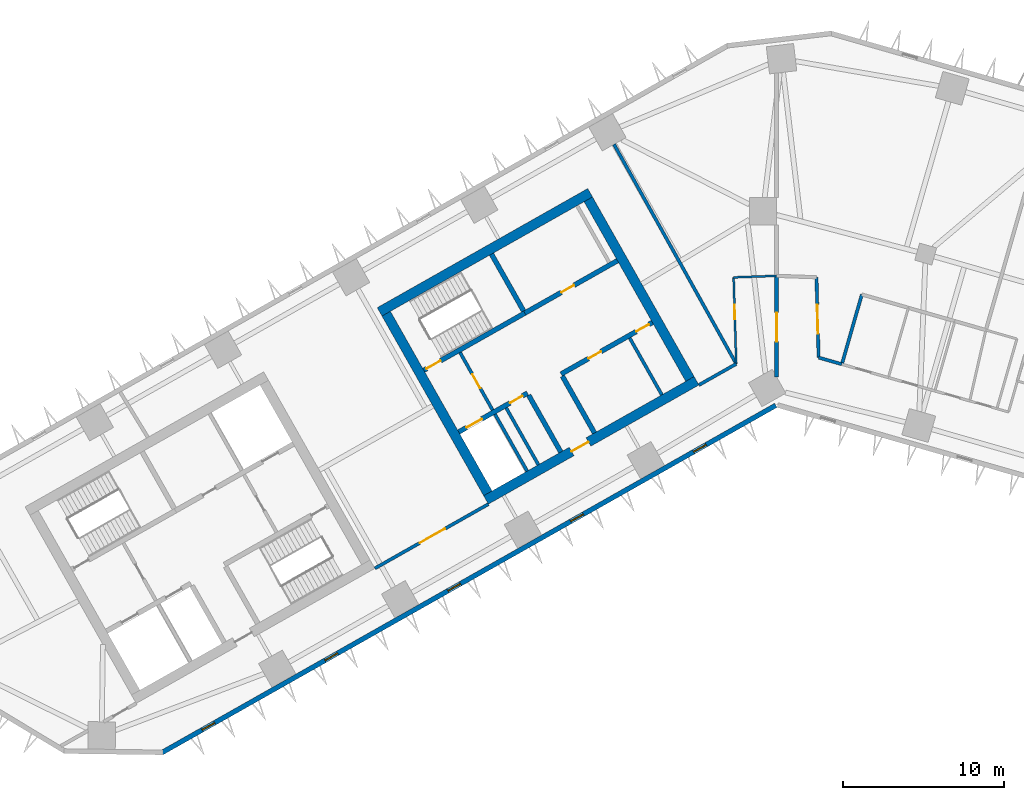
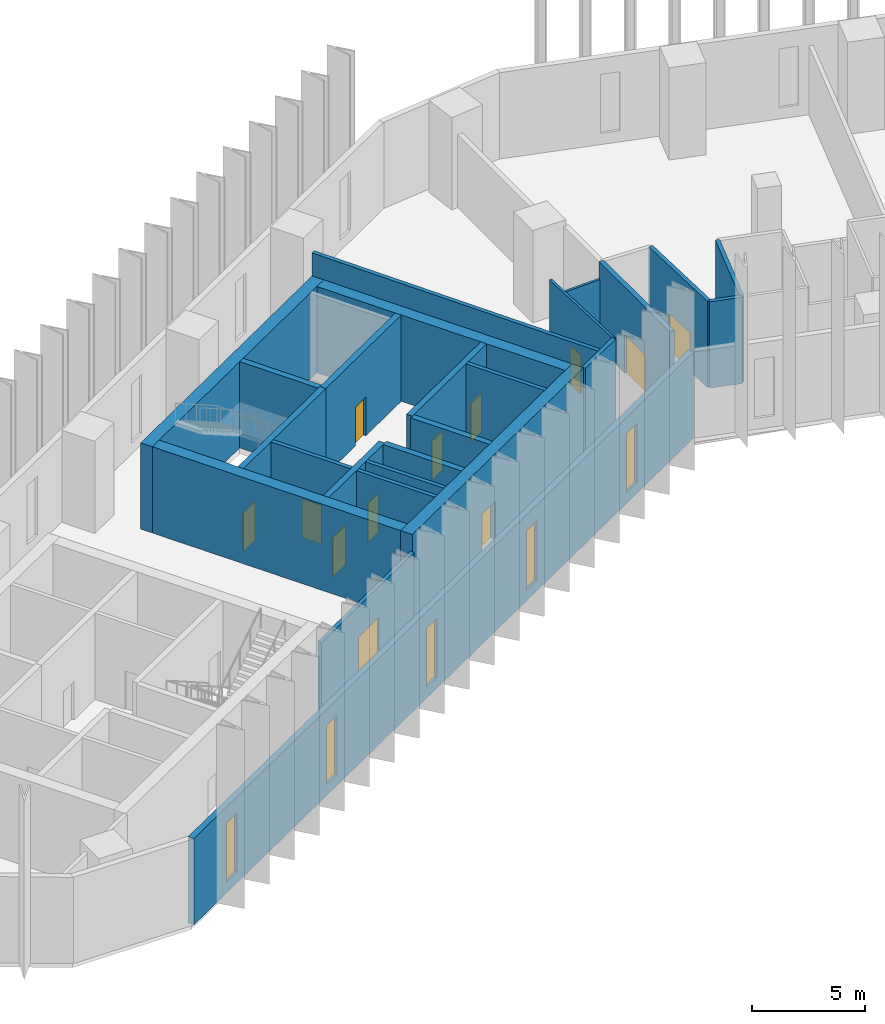
# One storey, part 4 of 11: 25 walls, 12 doors, 5 windows, 17 openings.
"""IFC4 building model written with IfcOpenShell, lengths in metres."""

from ifc_helpers import new_model, si_unit, direction, frame, frame_2d, origin, place, context, subcontext, project, spatial, rectangle, extrude, material, layer, layer_set, type_object, element, fill, save


model = new_model("IFC4")

# Units and contexts
model_context = context("Model", 3, precision=1e-05, world=origin(), true_north=direction((0.0, 1.0)))
body_context = subcontext(model_context, "Body", "Model", "MODEL_VIEW")
ifc_project = project(units=[si_unit("LENGTHUNIT", "METRE"), si_unit("AREAUNIT", "SQUARE_METRE"), si_unit("VOLUMEUNIT", "CUBIC_METRE"), si_unit("PLANEANGLEUNIT", "RADIAN"), si_unit("MASSUNIT", "GRAM", prefix="KILO")], contexts=[model_context])

# Site, building, storey
site_placement = place(None, origin())
site = spatial("IfcSite", under=ifc_project, at=site_placement, CompositionType="ELEMENT")
building_placement = place(site_placement, origin())
building = spatial("IfcBuilding", under=site, at=building_placement, Name="Binnacle Exchange Tower", CompositionType="ELEMENT")
storey_placement = place(building_placement, frame((0.0, 0.0, 66.5)))
storey = spatial("IfcBuildingStorey", under=building, at=storey_placement, Name="L13", CompositionType="ELEMENT", Elevation=66.5)

# Wall
ifc_material_1 = material(Name="Gypsum partition fire rated")
ifc_layer_1 = layer(ifc_material_1, 0.199951171875)
ifc_layer_set_1 = layer_set([ifc_layer_1], Name="Core partition 200")
wall_type_1 = type_object("IfcWallType", Name="Core partition 200", PredefinedType="PARTITIONING", material=ifc_layer_set_1)
wall_1_placement = place(storey_placement, frame((-9.11279296875, 52.14404296875, 0.0), z_axis=(0.0, 0.0, 1.0), x_axis=(0.492394910396, -0.870371904542, 0.0)))
element("IfcWall", 1, at=wall_1_placement, inside=storey, type_object=wall_type_1, Name="Core wall CRWC22", PredefinedType="PARTITIONING", context=body_context, shape_type="SweptSolid", body=[
    extrude(rectangle(XDim=4.0498046875, YDim=0.199951171875, at=frame_2d((2.02490234375, 0.0))), origin(), (0.0, 0.0, 1.0), 4.679931640625),
])

# Wall, openings, doors
ifc_material_2 = material(Name="Concrete C70/85", Category="concrete")
ifc_layer_2 = layer(ifc_material_2, 0.300048828125)
ifc_layer_set_2 = layer_set([ifc_layer_2], Name="Core wall - front 300")
wall_type_2 = type_object("IfcWallType", Name="Core wall - front 300", PredefinedType="SOLIDWALL", material=ifc_layer_set_2)
wall_2_placement = place(storey_placement, frame((-19.718017578125, 46.31640625, 0.0), z_axis=(0.0, 0.0, 1.0), x_axis=(0.870353963862, 0.492426621528, 0.0)))
wall_2 = element("IfcWall", 2, at=wall_2_placement, inside=storey, type_object=wall_type_2, Name="Core wall CRWC2", PredefinedType="SOLIDWALL", context=body_context, shape_type="SweptSolid", body=[
    extrude(rectangle(XDim=4.89990234375, YDim=0.300048828125, at=frame_2d((2.449951171875, 0.0))), origin(), (0.0, 0.0, 1.0), 4.679931640625),
])
opening_1_placement = place(wall_2_placement, frame((0.550048828125, 0.0, 0.0)))
opening_1 = element("IfcOpeningElement", 3, at=opening_1_placement, cuts=wall_2, Name="Opening LD14", PredefinedType="OPENING", context=body_context, shape_type="SweptSolid", body=[
    extrude(rectangle(XDim=1.10009765625, YDim=2.10009765625, at=frame_2d((0.550048828125, 1.050048828125))), frame((0.0, 0.159912109375, 0.0), z_axis=(0.0, -1.0, 0.0), x_axis=(1.0, 0.0, 0.0)), (0.0, 0.0, 1.0), 0.320068359375),
])
opening_2_placement = place(wall_2_placement, frame((3.64990234375, 0.0, 0.0)))
opening_2 = element("IfcOpeningElement", 4, at=opening_2_placement, cuts=wall_2, Name="Opening DC14", PredefinedType="OPENING", context=body_context, shape_type="SweptSolid", body=[
    extrude(rectangle(XDim=0.89990234375, YDim=2.10009765625, at=frame_2d((0.449951171875, 1.050048828125))), frame((0.0, 0.159912109375, 0.0), z_axis=(0.0, -1.0, 0.0), x_axis=(1.0, 0.0, 0.0)), (0.0, 0.0, 1.0), 0.320068359375),
])
ifc_material_3 = material(Name="Steel door leaf", Category="steel")
door_type_1 = type_object("IfcDoorType", Name="Fire door - lift landing 1100", OperationType="NOTDEFINED", PredefinedType="DOOR", material=ifc_material_3)
door_1_placement = place(opening_1_placement, origin())
door_1 = element("IfcDoor", 5, at=door_1_placement, inside=storey, type_object=door_type_1, Name="Landing door LD14 L13", OperationType="DOUBLE_DOOR_SLIDING", OverallHeight=2.10009765625, OverallWidth=1.10009765625, PredefinedType="DOOR", context=body_context, shape_type="SweptSolid", body=[
    extrude(rectangle(XDim=1.10009765625, YDim=2.10009765625, at=frame_2d((0.550048828125, 1.050048828125))), frame((0.0, 0.02490234375, 0.0), z_axis=(0.0, -1.0, 0.0), x_axis=(1.0, 0.0, 0.0)), (0.0, 0.0, 1.0), 0.050048828125),
])
fill(opening_1, door_1)
door_type_2 = type_object("IfcDoorType", Name="Fire door 900", OperationType="NOTDEFINED", PredefinedType="DOOR", material=ifc_material_3)
door_2_placement = place(opening_2_placement, frame((0.89990234375, 0.0, 0.0), z_axis=(0.0, 0.0, 1.0), x_axis=(-1.0, 0.0, 0.0)))
door_2 = element("IfcDoor", 6, at=door_2_placement, inside=storey, type_object=door_type_2, Name="Core room door COMMS RISER ROOM", OperationType="SINGLE_SWING_LEFT", OverallHeight=2.10009765625, OverallWidth=0.89990234375, PredefinedType="DOOR", context=body_context, shape_type="SweptSolid", body=[
    extrude(rectangle(XDim=0.89990234375, YDim=2.10009765625, at=frame_2d((0.449951171875, 1.050048828125))), frame((0.0, 0.02490234375, 0.0), z_axis=(0.0, -1.0, 0.0), x_axis=(1.0, 0.0, 0.0)), (0.0, 0.0, 1.0), 0.050048828125),
])
fill(opening_2, door_2)

wall_3_placement = place(storey_placement, frame((-13.364501953125, 49.910888671875, 0.0), z_axis=(0.0, 0.0, 1.0), x_axis=(0.870340995471, 0.49244954219, 0.0)))
wall_3 = element("IfcWall", 7, at=wall_3_placement, inside=storey, type_object=wall_type_2, Name="Core wall CRWC3", PredefinedType="SOLIDWALL", context=body_context, shape_type="SweptSolid", body=[
    extrude(rectangle(XDim=6.5, YDim=0.300048828125, at=frame_2d((3.25, 0.0))), origin(), (0.0, 0.0, 1.0), 4.679931640625),
])
opening_3_placement = place(wall_3_placement, frame((1.949951171875, 0.0, 0.0)))
opening_3 = element("IfcOpeningElement", 8, at=opening_3_placement, cuts=wall_3, Name="Opening DC18", PredefinedType="OPENING", context=body_context, shape_type="SweptSolid", body=[
    extrude(rectangle(XDim=0.89990234375, YDim=2.10009765625, at=frame_2d((0.449951171875, 1.050048828125))), frame((0.0, 0.159912109375, 0.0), z_axis=(0.0, -1.0, 0.0), x_axis=(1.0, 0.0, 0.0)), (0.0, 0.0, 1.0), 0.320068359375),
])
opening_4_placement = place(wall_3_placement, frame((5.35009765625, 0.0, 0.0)))
opening_4 = element("IfcOpeningElement", 9, at=opening_4_placement, cuts=wall_3, Name="Opening DC19", PredefinedType="OPENING", context=body_context, shape_type="SweptSolid", body=[
    extrude(rectangle(XDim=0.89990234375, YDim=2.10009765625, at=frame_2d((0.449951171875, 1.050048828125))), frame((0.0, 0.159912109375, 0.0), z_axis=(0.0, -1.0, 0.0), x_axis=(1.0, 0.0, 0.0)), (0.0, 0.0, 1.0), 0.320068359375),
])
door_3_placement = place(opening_3_placement, frame((0.89990234375, 0.0, 0.0), z_axis=(0.0, 0.0, 1.0), x_axis=(-1.0, 0.0, 0.0)))
door_3 = element("IfcDoor", 10, at=door_3_placement, inside=storey, type_object=door_type_2, Name="Core room door TELECOM RISER ROOM", OperationType="SINGLE_SWING_RIGHT", OverallHeight=2.10009765625, OverallWidth=0.89990234375, PredefinedType="DOOR", context=body_context, shape_type="SweptSolid", body=[
    extrude(rectangle(XDim=0.89990234375, YDim=2.10009765625, at=frame_2d((0.449951171875, 1.050048828125))), frame((0.0, 0.02490234375, 0.0), z_axis=(0.0, -1.0, 0.0), x_axis=(1.0, 0.0, 0.0)), (0.0, 0.0, 1.0), 0.050048828125),
])
fill(opening_3, door_3)
door_4_placement = place(opening_4_placement, frame((0.89990234375, 0.0, 0.0), z_axis=(0.0, 0.0, 1.0), x_axis=(-1.0, 0.0, 0.0)))
door_4 = element("IfcDoor", 11, at=door_4_placement, inside=storey, type_object=door_type_2, Name="Core room door IT STORE", OperationType="SINGLE_SWING_LEFT", OverallHeight=2.10009765625, OverallWidth=0.89990234375, PredefinedType="DOOR", context=body_context, shape_type="SweptSolid", body=[
    extrude(rectangle(XDim=0.89990234375, YDim=2.10009765625, at=frame_2d((0.449951171875, 1.050048828125))), frame((0.0, 0.02490234375, 0.0), z_axis=(0.0, -1.0, 0.0), x_axis=(1.0, 0.0, 0.0)), (0.0, 0.0, 1.0), 0.050048828125),
])
fill(opening_4, door_4)

# Wall, opening, door
wall_4_placement = place(storey_placement, frame((-15.6181640625, 53.69140625, 0.0), z_axis=(0.0, 0.0, 1.0), x_axis=(0.870356769198, 0.492421663121, 0.0)))
wall_4 = element("IfcWall", 12, at=wall_4_placement, inside=storey, type_object=wall_type_2, Name="Core wall CRWC5", PredefinedType="SOLIDWALL", context=body_context, shape_type="SweptSolid", body=[
    extrude(rectangle(XDim=6.60009765625, YDim=0.300048828125, at=frame_2d((3.300048828125, 0.0))), origin(), (0.0, 0.0, 1.0), 4.679931640625),
])
opening_5_placement = place(wall_4_placement, frame((2.60009765625, 0.0, 0.0)))
opening_5 = element("IfcOpeningElement", 13, at=opening_5_placement, cuts=wall_4, Name="Opening DC10", PredefinedType="OPENING", context=body_context, shape_type="SweptSolid", body=[
    extrude(rectangle(XDim=0.89990234375, YDim=2.10009765625, at=frame_2d((0.449951171875, 1.050048828125))), frame((0.0, 0.159912109375, 0.0), z_axis=(0.0, -1.0, 0.0), x_axis=(1.0, 0.0, 0.0)), (0.0, 0.0, 1.0), 0.320068359375),
])
door_5_placement = place(opening_5_placement, origin())
door_5 = element("IfcDoor", 14, at=door_5_placement, inside=storey, type_object=door_type_2, Name="Core room door WORKSHOP STORE", OperationType="SINGLE_SWING_LEFT", OverallHeight=2.10009765625, OverallWidth=0.89990234375, PredefinedType="DOOR", context=body_context, shape_type="SweptSolid", body=[
    extrude(rectangle(XDim=0.89990234375, YDim=2.10009765625, at=frame_2d((0.449951171875, 1.050048828125))), frame((0.0, 0.02490234375, 0.0), z_axis=(0.0, -1.0, 0.0), x_axis=(1.0, 0.0, 0.0)), (0.0, 0.0, 1.0), 0.050048828125),
])
fill(opening_5, door_5)

# Walls
for number, where, z_axis, x_axis, name in (
    (15, (-15.37939453125, 48.5986328125, 0.0), (0.0, 0.0, 1.0), (0.492394910396, -0.870371904542, 0.0), "Core wall CRWC13"),
    (16, (-13.29052734375, 49.780517578125, 0.0), (0.0, 0.0, 1.0), (0.492394910396, -0.870371904542, 0.0), "Core wall CRWC15"),
):
    element("IfcWall", number, at=place(storey_placement, frame(where, z_axis=z_axis, x_axis=x_axis)), inside=storey, type_object=wall_type_2, Name=name, PredefinedType="SOLIDWALL", context=body_context, shape_type="SweptSolid", body=[
        extrude(rectangle(XDim=4.0498046875, YDim=0.300048828125, at=frame_2d((2.02490234375, 0.0))), origin(), (0.0, 0.0, 1.0), 4.679931640625),
    ])

# Wall, opening, door
ifc_layer_3 = layer(ifc_material_2, 0.60009765625)
ifc_layer_set_3 = layer_set([ifc_layer_3], Name="Core wall - outer 600")
wall_type_3 = type_object("IfcWallType", Name="Core wall - outer 600", PredefinedType="SOLIDWALL", material=ifc_layer_set_3)
wall_5_placement = place(storey_placement, frame((-18.0244140625, 42.104248046875, 0.0), z_axis=(0.0, 0.0, 1.0), x_axis=(0.870360574057, 0.492414937962, 0.0)))
wall_5 = element("IfcWall", 17, at=wall_5_placement, inside=storey, type_object=wall_type_3, Name="Core wall CRWC1", PredefinedType="SOLIDWALL", context=body_context, shape_type="SweptSolid", body=[
    extrude(rectangle(XDim=15.0, YDim=0.60009765625, at=frame_2d((7.5, 0.0))), origin(), (0.0, 0.0, 1.0), 4.679931640625),
])
opening_6_placement = place(wall_5_placement, frame((6.10009765625, 0.0, 0.0)))
opening_6 = element("IfcOpeningElement", 18, at=opening_6_placement, cuts=wall_5, Name="Opening DC7", PredefinedType="OPENING", context=body_context, shape_type="SweptSolid", body=[
    extrude(rectangle(XDim=1.199951171875, YDim=2.10009765625, at=frame_2d((0.60009765625, 1.050048828125))), frame((0.0, 0.31005859375, 0.0), z_axis=(0.0, -1.0, 0.0), x_axis=(1.0, 0.0, 0.0)), (0.0, 0.0, 1.0), 0.6201171875),
])
door_type_3 = type_object("IfcDoorType", Name="Fire door 1200", OperationType="NOTDEFINED", PredefinedType="DOOR", material=ifc_material_3)
door_6_placement = place(opening_6_placement, frame((1.199951171875, 0.0, 0.0), z_axis=(0.0, 0.0, 1.0), x_axis=(-1.0, 0.0, 0.0)))
door_6 = element("IfcDoor", 19, at=door_6_placement, inside=storey, type_object=door_type_3, Name="Lift lobby entrance door core C", OperationType="SINGLE_SWING_RIGHT", OverallHeight=2.10009765625, OverallWidth=1.199951171875, PredefinedType="DOOR", context=body_context, shape_type="SweptSolid", body=[
    extrude(rectangle(XDim=1.199951171875, YDim=2.10009765625, at=frame_2d((0.60009765625, 1.050048828125))), frame((0.0, 0.02490234375, 0.0), z_axis=(0.0, -1.0, 0.0), x_axis=(1.0, 0.0, 0.0)), (0.0, 0.0, 1.0), 0.050048828125),
])
fill(opening_6, door_6)

# Walls
wall_6_placement = place(storey_placement, frame((-24.622802734375, 53.76708984375, 0.0), z_axis=(0.0, 0.0, 1.0), x_axis=(0.870356627484, 0.492421913601, 0.0)))
element("IfcWall", 20, at=wall_6_placement, inside=storey, type_object=wall_type_3, Name="Core wall CRWC6", PredefinedType="SOLIDWALL", context=body_context, shape_type="SweptSolid", body=[
    extrude(rectangle(XDim=14.999755859375, YDim=0.60009765625, at=frame_2d((7.5, 0.0))), origin(), (0.0, 0.0, 1.0), 4.679931640625),
])
wall_7_placement = place(storey_placement, frame((-24.214111328125, 53.653564453125, 0.0), z_axis=(0.0, 0.0, 1.0), x_axis=(0.492441221355, -0.870345703448, 0.0)))
element("IfcWall", 21, at=wall_7_placement, inside=storey, type_object=wall_type_3, Name="Core wall CRWC7", PredefinedType="SOLIDWALL", context=body_context, shape_type="SweptSolid", body=[
    extrude(rectangle(XDim=12.800048828125, YDim=0.60009765625, at=frame_2d((6.39990234375, 0.0))), origin(), (0.0, 0.0, 1.0), 4.679931640625),
])
wall_8_placement = place(storey_placement, frame((-11.680908203125, 60.744384765625, 0.0), z_axis=(0.0, 0.0, 1.0), x_axis=(0.492426772896, -0.870353878221, 0.0)))
element("IfcWall", 22, at=wall_8_placement, inside=storey, type_object=wall_type_3, Name="Core wall CRWC24", PredefinedType="SOLIDWALL", context=body_context, shape_type="SweptSolid", body=[
    extrude(rectangle(XDim=12.7998046875, YDim=0.60009765625, at=frame_2d((6.39990234375, 0.0))), origin(), (0.0, 0.0, 1.0), 4.679931640625),
])

# Wall, opening, door
ifc_layer_4 = layer(ifc_material_2, 0.300048828125)
ifc_layer_set_4 = layer_set([ifc_layer_4], Name="Core wall - stair 300")
wall_type_4 = type_object("IfcWallType", Name="Core wall - stair 300", PredefinedType="SOLIDWALL", material=ifc_layer_set_4)
wall_9_placement = place(storey_placement, frame((-21.884765625, 50.14599609375, 0.0), z_axis=(0.0, 0.0, 1.0), x_axis=(0.870359411463, 0.492416992881, 0.0)))
wall_9 = element("IfcWall", 23, at=wall_9_placement, inside=storey, type_object=wall_type_4, Name="Core wall CRWC4", PredefinedType="SOLIDWALL", context=body_context, shape_type="SweptSolid", body=[
    extrude(rectangle(XDim=7.199951171875, YDim=0.300048828125, at=frame_2d((3.60009765625, 0.0))), origin(), (0.0, 0.0, 1.0), 4.679931640625),
])
opening_7_placement = place(wall_9_placement, frame((0.199951171875, 0.0, 0.0)))
opening_7 = element("IfcOpeningElement", 24, at=opening_7_placement, cuts=wall_9, Name="Opening DC1", PredefinedType="OPENING", context=body_context, shape_type="SweptSolid", body=[
    extrude(rectangle(XDim=1.0, YDim=2.10009765625, at=frame_2d((0.5, 1.050048828125))), frame((0.0, 0.159912109375, 0.0), z_axis=(0.0, -1.0, 0.0), x_axis=(1.0, 0.0, 0.0)), (0.0, 0.0, 1.0), 0.320068359375),
])
door_type_4 = type_object("IfcDoorType", Name="Fire door 1000", OperationType="NOTDEFINED", PredefinedType="DOOR", material=ifc_material_3)
door_7_placement = place(opening_7_placement, origin())
door_7 = element("IfcDoor", 25, at=door_7_placement, inside=storey, type_object=door_type_4, Name="Stair door ST-C1", OperationType="SINGLE_SWING_LEFT", OverallHeight=2.10009765625, OverallWidth=1.0, PredefinedType="DOOR", context=body_context, shape_type="SweptSolid", body=[
    extrude(rectangle(XDim=1.0, YDim=2.10009765625, at=frame_2d((0.5, 1.050048828125))), frame((0.0, 0.02490234375, 0.0), z_axis=(0.0, -1.0, 0.0), x_axis=(1.0, 0.0, 0.0)), (0.0, 0.0, 1.0), 0.050048828125),
])
fill(opening_7, door_7)

# Wall
wall_10_placement = place(storey_placement, frame((-17.686279296875, 57.3466796875, 0.0), z_axis=(0.0, 0.0, 1.0), x_axis=(0.492420746998, -0.870357287513, 0.0)))
element("IfcWall", 26, at=wall_10_placement, inside=storey, type_object=wall_type_4, Name="Core wall CRWC14", PredefinedType="SOLIDWALL", context=body_context, shape_type="SweptSolid", body=[
    extrude(rectangle(XDim=4.049560546875, YDim=0.300048828125, at=frame_2d((2.02490234375, 0.0))), origin(), (0.0, 0.0, 1.0), 4.679931640625),
])

# Wall, openings, windows
ifc_material_4 = material(Name="Bronze aluminium cladding", Category="aluminium")
ifc_layer_5 = layer(ifc_material_4, 0.300048828125)
ifc_layer_set_5 = layer_set([ifc_layer_5], Name="External wall - spandrel 300")
wall_type_5 = type_object("IfcWallType", Name="External wall - spandrel 300", PredefinedType="STANDARD", material=ifc_layer_set_5)
wall_11_placement = place(storey_placement, frame((-0.0546875, 47.968994140625, 0.0), z_axis=(0.0, 0.0, 1.0), x_axis=(-0.870355730478, -0.492423499058, 0.0)))
wall_11 = element("IfcWall", 27, at=wall_11_placement, inside=storey, type_object=wall_type_5, Name="External wall EW-F07 L13", PredefinedType="STANDARD", context=body_context, shape_type="SweptSolid", body=[
    extrude(rectangle(XDim=43.750244140625, YDim=0.300048828125, at=frame_2d((21.875, 0.0))), origin(), (0.0, 0.0, 1.0), 4.679931640625),
])
opening_8_placement = place(wall_11_placement, frame((39.976806640625, 0.0, 0.60009765625)))
opening_8 = element("IfcOpeningElement", 28, at=opening_8_placement, cuts=wall_11, Name="Opening WS1", PredefinedType="OPENING", context=body_context, shape_type="SweptSolid", body=[
    extrude(rectangle(XDim=0.89990234375, YDim=3.199951171875, at=frame_2d((0.449951171875, 1.60009765625))), frame((0.0, 0.159912109375, 0.0), z_axis=(0.0, -1.0, 0.0), x_axis=(1.0, 0.0, 0.0)), (0.0, 0.0, 1.0), 0.320068359375),
])
opening_9_placement = place(wall_11_placement, frame((31.222412109375, 0.0, 0.60009765625)))
opening_9 = element("IfcOpeningElement", 29, at=opening_9_placement, cuts=wall_11, Name="Opening WS1", PredefinedType="OPENING", context=body_context, shape_type="SweptSolid", body=[
    extrude(rectangle(XDim=0.89990234375, YDim=3.199951171875, at=frame_2d((0.449951171875, 1.60009765625))), frame((0.0, 0.159912109375, 0.0), z_axis=(0.0, -1.0, 0.0), x_axis=(1.0, 0.0, 0.0)), (0.0, 0.0, 1.0), 0.320068359375),
])
opening_10_placement = place(wall_11_placement, frame((22.4677734375, 0.0, 0.60009765625)))
opening_10 = element("IfcOpeningElement", 30, at=opening_10_placement, cuts=wall_11, Name="Opening WS1", PredefinedType="OPENING", context=body_context, shape_type="SweptSolid", body=[
    extrude(rectangle(XDim=0.89990234375, YDim=3.199951171875, at=frame_2d((0.449951171875, 1.60009765625))), frame((0.0, 0.159912109375, 0.0), z_axis=(0.0, -1.0, 0.0), x_axis=(1.0, 0.0, 0.0)), (0.0, 0.0, 1.0), 0.320068359375),
])
opening_11_placement = place(wall_11_placement, frame((13.713134765625, 0.0, 0.60009765625)))
opening_11 = element("IfcOpeningElement", 31, at=opening_11_placement, cuts=wall_11, Name="Opening WS1", PredefinedType="OPENING", context=body_context, shape_type="SweptSolid", body=[
    extrude(rectangle(XDim=0.89990234375, YDim=3.199951171875, at=frame_2d((0.449951171875, 1.60009765625))), frame((0.0, 0.159912109375, 0.0), z_axis=(0.0, -1.0, 0.0), x_axis=(1.0, 0.0, 0.0)), (0.0, 0.0, 1.0), 0.320068359375),
])
opening_12_placement = place(wall_11_placement, frame((4.958740234375, 0.0, 0.60009765625)))
opening_12 = element("IfcOpeningElement", 32, at=opening_12_placement, cuts=wall_11, Name="Opening WS1", PredefinedType="OPENING", context=body_context, shape_type="SweptSolid", body=[
    extrude(rectangle(XDim=0.89990234375, YDim=3.199951171875, at=frame_2d((0.449951171875, 1.60009765625))), frame((0.0, 0.159912109375, 0.0), z_axis=(0.0, -1.0, 0.0), x_axis=(1.0, 0.0, 0.0)), (0.0, 0.0, 1.0), 0.320068359375),
])
ifc_material_5 = material(Name="Bronze anodised aluminium frame", Category="aluminium")
window_type = type_object("IfcWindowType", Name="WS1 WINDOW 900x3200", PartitioningType="SINGLE_PANEL", PredefinedType="WINDOW", material=ifc_material_5)
window_1_placement = place(opening_8_placement, origin())
window_1 = element("IfcWindow", 33, at=window_1_placement, inside=storey, type_object=window_type, Name="Window WS1 L13", OverallHeight=3.199951171875, OverallWidth=0.89990234375, PartitioningType="SINGLE_PANEL", PredefinedType="WINDOW", context=body_context, shape_type="SweptSolid", body=[
    extrude(rectangle(XDim=0.89990234375, YDim=3.199951171875, at=frame_2d((0.449951171875, 1.60009765625))), frame((0.0, 0.030029296875, 0.0), z_axis=(0.0, -1.0, 0.0), x_axis=(1.0, 0.0, 0.0)), (0.0, 0.0, 1.0), 0.06005859375),
])
fill(opening_8, window_1)
window_2_placement = place(opening_9_placement, origin())
window_2 = element("IfcWindow", 34, at=window_2_placement, inside=storey, type_object=window_type, Name="Window WS1 L13", OverallHeight=3.199951171875, OverallWidth=0.89990234375, PartitioningType="SINGLE_PANEL", PredefinedType="WINDOW", context=body_context, shape_type="SweptSolid", body=[
    extrude(rectangle(XDim=0.89990234375, YDim=3.199951171875, at=frame_2d((0.449951171875, 1.60009765625))), frame((0.0, 0.030029296875, 0.0), z_axis=(0.0, -1.0, 0.0), x_axis=(1.0, 0.0, 0.0)), (0.0, 0.0, 1.0), 0.06005859375),
])
fill(opening_9, window_2)
window_3_placement = place(opening_10_placement, origin())
window_3 = element("IfcWindow", 35, at=window_3_placement, inside=storey, type_object=window_type, Name="Window WS1 L13", OverallHeight=3.199951171875, OverallWidth=0.89990234375, PartitioningType="SINGLE_PANEL", PredefinedType="WINDOW", context=body_context, shape_type="SweptSolid", body=[
    extrude(rectangle(XDim=0.89990234375, YDim=3.199951171875, at=frame_2d((0.449951171875, 1.60009765625))), frame((0.0, 0.030029296875, 0.0), z_axis=(0.0, -1.0, 0.0), x_axis=(1.0, 0.0, 0.0)), (0.0, 0.0, 1.0), 0.06005859375),
])
fill(opening_10, window_3)
window_4_placement = place(opening_11_placement, origin())
window_4 = element("IfcWindow", 36, at=window_4_placement, inside=storey, type_object=window_type, Name="Window WS1 L13", OverallHeight=3.199951171875, OverallWidth=0.89990234375, PartitioningType="SINGLE_PANEL", PredefinedType="WINDOW", context=body_context, shape_type="SweptSolid", body=[
    extrude(rectangle(XDim=0.89990234375, YDim=3.199951171875, at=frame_2d((0.449951171875, 1.60009765625))), frame((0.0, 0.030029296875, 0.0), z_axis=(0.0, -1.0, 0.0), x_axis=(1.0, 0.0, 0.0)), (0.0, 0.0, 1.0), 0.06005859375),
])
fill(opening_11, window_4)
window_5_placement = place(opening_12_placement, origin())
window_5 = element("IfcWindow", 37, at=window_5_placement, inside=storey, type_object=window_type, Name="Window WS1 L13", OverallHeight=3.199951171875, OverallWidth=0.89990234375, PartitioningType="SINGLE_PANEL", PredefinedType="WINDOW", context=body_context, shape_type="SweptSolid", body=[
    extrude(rectangle(XDim=0.89990234375, YDim=3.199951171875, at=frame_2d((0.449951171875, 1.60009765625))), frame((0.0, 0.030029296875, 0.0), z_axis=(0.0, -1.0, 0.0), x_axis=(1.0, 0.0, 0.0)), (0.0, 0.0, 1.0), 0.06005859375),
])
fill(opening_12, window_5)

# Wall, opening, door
ifc_material_6 = material(Name="Masonry block wall", Category="masonry")
ifc_layer_6 = layer(ifc_material_6, 0.199951171875)
ifc_layer_set_6 = layer_set([ifc_layer_6], Name="Fire wall - block 200")
wall_type_6 = type_object("IfcWallType", Name="Fire wall - block 200", PredefinedType="PARTITIONING", material=ifc_layer_set_6)
wall_12_placement = place(storey_placement, frame((-24.9189453125, 37.85888671875, 0.0), z_axis=(0.0, 0.0, 1.0), x_axis=(0.870357635969, 0.492420131098, 0.0)))
wall_12 = element("IfcWall", 38, at=wall_12_placement, inside=storey, type_object=wall_type_6, Name="Partition W04", PredefinedType="PARTITIONING", context=body_context, shape_type="SweptSolid", body=[
    extrude(rectangle(XDim=8.0908203125, YDim=0.199951171875, at=frame_2d((4.04541015625, 0.0))), origin(), (0.0, 0.0, 1.0), 3.748046875),
])
opening_13_placement = place(wall_12_placement, frame((3.199951171875, 0.0, 0.0)))
opening_13 = element("IfcOpeningElement", 39, at=opening_13_placement, cuts=wall_12, Name="Opening DL11-02", PredefinedType="OPENING", context=body_context, shape_type="SweptSolid", body=[
    extrude(rectangle(XDim=1.800048828125, YDim=2.10009765625, at=frame_2d((0.89990234375, 1.050048828125))), frame((0.0, 0.10986328125, 0.0), z_axis=(0.0, -1.0, 0.0), x_axis=(1.0, 0.0, 0.0)), (0.0, 0.0, 1.0), 0.219970703125),
])
door_type_5 = type_object("IfcDoorType", Name="Fire door 1800", OperationType="NOTDEFINED", PredefinedType="DOOR", material=ifc_material_3)
door_8_placement = place(opening_13_placement, origin())
door_8 = element("IfcDoor", 40, at=door_8_placement, inside=storey, type_object=door_type_5, Name="Door DL11-02", OperationType="DOUBLE_DOOR_SINGLE_SWING", OverallHeight=2.10009765625, OverallWidth=1.800048828125, PredefinedType="DOOR", context=body_context, shape_type="SweptSolid", body=[
    extrude(rectangle(XDim=1.800048828125, YDim=2.10009765625, at=frame_2d((0.89990234375, 1.050048828125))), frame((0.0, 0.02490234375, 0.0), z_axis=(0.0, -1.0, 0.0), x_axis=(1.0, 0.0, 0.0)), (0.0, 0.0, 1.0), 0.050048828125),
])
fill(opening_13, door_8)

# Walls
wall_13_placement = place(storey_placement, frame((-10.087890625, 64.155029296875, 0.0), z_axis=(0.0, 0.0, 1.0), x_axis=(0.486446127767, -0.873710572661, 0.0)))
element("IfcWall", 41, at=wall_13_placement, inside=storey, type_object=wall_type_6, Name="Partition W05", PredefinedType="PARTITIONING", context=body_context, shape_type="SweptSolid", body=[
    extrude(rectangle(XDim=15.583984375, YDim=0.199951171875, at=frame_2d((7.7919921875, 0.0))), origin(), (0.0, 0.0, 1.0), 3.760009765625),
])
wall_14_placement = place(storey_placement, frame((-4.821044921875, 49.22998046875, 0.0), z_axis=(0.0, 0.0, 1.0), x_axis=(0.870371217631, 0.492396124598, 0.0)))
element("IfcWall", 42, at=wall_14_placement, inside=storey, type_object=wall_type_6, Name="Partition W06", PredefinedType="PARTITIONING", context=body_context, shape_type="SweptSolid", body=[
    extrude(rectangle(XDim=2.65869140625, YDim=0.199951171875, at=frame_2d((1.329345703125, 0.0))), origin(), (0.0, 0.0, 1.0), 4.679931640625),
])

# Wall, opening, door
wall_15_placement = place(storey_placement, frame((2.468994140625, 55.910888671875, 0.0), z_axis=(0.0, 0.0, 1.0), x_axis=(0.02651808123, -0.999648333849, 0.0)))
wall_15 = element("IfcWall", 43, at=wall_15_placement, inside=storey, type_object=wall_type_6, Name="Partition W13", PredefinedType="PARTITIONING", context=body_context, shape_type="SweptSolid", body=[
    extrude(rectangle(XDim=4.980712890625, YDim=0.199951171875, at=frame_2d((2.490234375, 0.0))), origin(), (0.0, 0.0, 1.0), 4.679931640625),
])
opening_14_placement = place(wall_15_placement, frame((1.699951171875, 0.0, 0.0)))
opening_14 = element("IfcOpeningElement", 44, at=opening_14_placement, cuts=wall_15, Name="Opening DL11-08", PredefinedType="OPENING", context=body_context, shape_type="SweptSolid", body=[
    extrude(rectangle(XDim=1.800048828125, YDim=2.10009765625, at=frame_2d((0.89990234375, 1.050048828125))), frame((0.0, 0.10986328125, 0.0), z_axis=(0.0, -1.0, 0.0), x_axis=(1.0, 0.0, 0.0)), (0.0, 0.0, 1.0), 0.219970703125),
])
door_9_placement = place(opening_14_placement, origin())
door_9 = element("IfcDoor", 45, at=door_9_placement, inside=storey, type_object=door_type_5, Name="Door DL11-08", OperationType="DOUBLE_DOOR_SINGLE_SWING", OverallHeight=2.10009765625, OverallWidth=1.800048828125, PredefinedType="DOOR", context=body_context, shape_type="SweptSolid", body=[
    extrude(rectangle(XDim=1.800048828125, YDim=2.10009765625, at=frame_2d((0.89990234375, 1.050048828125))), frame((0.0, 0.02490234375, 0.0), z_axis=(0.0, -1.0, 0.0), x_axis=(1.0, 0.0, 0.0)), (0.0, 0.0, 1.0), 0.050048828125),
])
fill(opening_14, door_9)

# Walls
wall_16_placement = place(storey_placement, frame((2.60107421875, 50.931884765625, 0.0), z_axis=(0.0, 0.0, 1.0), x_axis=(0.961197773994, -0.27586018065, 0.0)))
element("IfcWall", 46, at=wall_16_placement, inside=storey, type_object=wall_type_6, Name="Partition W14", PredefinedType="PARTITIONING", context=body_context, shape_type="SweptSolid", body=[
    extrude(rectangle(XDim=1.5, YDim=0.199951171875, at=frame_2d((0.75, 0.0))), origin(), (0.0, 0.0, 1.0), 4.679931640625),
])
wall_17_placement = place(storey_placement, frame((4.04296875, 50.51806640625, 0.0), z_axis=(0.0, 0.0, 1.0), x_axis=(0.275745553681, 0.96123066411, 0.0)))
element("IfcWall", 47, at=wall_17_placement, inside=storey, type_object=wall_type_6, Name="Partition W15", PredefinedType="PARTITIONING", context=body_context, shape_type="SweptSolid", body=[
    extrude(rectangle(XDim=4.50048828125, YDim=0.199951171875, at=frame_2d((2.250244140625, 0.0))), origin(), (0.0, 0.0, 1.0), 4.679931640625),
])

# Wall, opening, door
ifc_material_7 = material(Name="Concrete fire wall C30/37", Category="concrete")
ifc_layer_7 = layer(ifc_material_7, 0.25)
ifc_layer_set_7 = layer_set([ifc_layer_7], Name="Fire wall - compartment 250")
wall_type_7 = type_object("IfcWallType", Name="Fire wall - compartment 250", PredefinedType="PARTITIONING", material=ifc_layer_set_7)
wall_18_placement = place(storey_placement, frame((0.0, 49.72607421875, 0.0), z_axis=(0.0, 0.0, 1.0), x_axis=(0.0, 1.0, 0.0)))
wall_18 = element("IfcWall", 48, at=wall_18_placement, inside=storey, type_object=wall_type_7, Name="Fire Wall W09", PredefinedType="PARTITIONING", context=body_context, shape_type="SweptSolid", body=[
    extrude(rectangle(XDim=6.27392578125, YDim=0.25, at=frame_2d((3.136962890625, 0.0))), origin(), (0.0, 0.0, 1.0), 4.679931640625),
])
opening_15_placement = place(wall_18_placement, frame((2.199951171875, 0.0, 0.0)))
opening_15 = element("IfcOpeningElement", 49, at=opening_15_placement, cuts=wall_18, Name="Opening DL11-14", PredefinedType="OPENING", context=body_context, shape_type="SweptSolid", body=[
    extrude(rectangle(XDim=1.800048828125, YDim=2.10009765625, at=frame_2d((0.89990234375, 1.050048828125))), frame((0.0, 0.135009765625, 0.0), z_axis=(0.0, -1.0, 0.0), x_axis=(1.0, 0.0, 0.0)), (0.0, 0.0, 1.0), 0.27001953125),
])
door_10_placement = place(opening_15_placement, origin())
door_10 = element("IfcDoor", 50, at=door_10_placement, inside=storey, type_object=door_type_5, Name="Door DL11-14", OperationType="DOUBLE_DOOR_SINGLE_SWING", OverallHeight=2.10009765625, OverallWidth=1.800048828125, PredefinedType="DOOR", context=body_context, shape_type="SweptSolid", body=[
    extrude(rectangle(XDim=1.800048828125, YDim=2.10009765625, at=frame_2d((0.89990234375, 1.050048828125))), frame((0.0, 0.02490234375, 0.0), z_axis=(0.0, -1.0, 0.0), x_axis=(1.0, 0.0, 0.0)), (0.0, 0.0, 1.0), 0.050048828125),
])
fill(opening_15, door_10)

ifc_layer_8 = layer(ifc_material_6, 0.199951171875)
ifc_layer_set_8 = layer_set([ifc_layer_8], Name="Fire wall - vestibule 200")
wall_type_8 = type_object("IfcWallType", Name="Fire wall - vestibule 200", PredefinedType="PARTITIONING", material=ifc_layer_set_8)
wall_19_placement = place(storey_placement, frame((-19.635009765625, 51.246337890625, 0.0), z_axis=(0.0, 0.0, 1.0), x_axis=(0.492408451753, -0.87036424366, 0.0)))
wall_19 = element("IfcWall", 51, at=wall_19_placement, inside=storey, type_object=wall_type_8, Name="Core wall CRWC10", PredefinedType="PARTITIONING", context=body_context, shape_type="SweptSolid", body=[
    extrude(rectangle(XDim=4.099853515625, YDim=0.199951171875, at=frame_2d((2.0498046875, 0.0))), origin(), (0.0, 0.0, 1.0), 4.679931640625),
])
opening_16_placement = place(wall_19_placement, frame((1.550048828125, 0.0, 0.0)))
opening_16 = element("IfcOpeningElement", 52, at=opening_16_placement, cuts=wall_19, Name="Opening DC3", PredefinedType="OPENING", context=body_context, shape_type="SweptSolid", body=[
    extrude(rectangle(XDim=1.0, YDim=2.10009765625, at=frame_2d((0.5, 1.050048828125))), frame((0.0, 0.10986328125, 0.0), z_axis=(0.0, -1.0, 0.0), x_axis=(1.0, 0.0, 0.0)), (0.0, 0.0, 1.0), 0.219970703125),
])
door_11_placement = place(opening_16_placement, frame((1.0, 0.0, 0.0), z_axis=(0.0, 0.0, 1.0), x_axis=(-1.0, 0.0, 0.0)))
door_11 = element("IfcDoor", 53, at=door_11_placement, inside=storey, type_object=door_type_4, Name="Vestibule door VEST-W", OperationType="SINGLE_SWING_RIGHT", OverallHeight=2.10009765625, OverallWidth=1.0, PredefinedType="DOOR", context=body_context, shape_type="SweptSolid", body=[
    extrude(rectangle(XDim=1.0, YDim=2.10009765625, at=frame_2d((0.5, 1.050048828125))), frame((0.0, 0.02490234375, 0.0), z_axis=(0.0, -1.0, 0.0), x_axis=(1.0, 0.0, 0.0)), (0.0, 0.0, 1.0), 0.050048828125),
])
fill(opening_16, door_11)

ifc_material_8 = material(Name="Gypsum partition")
ifc_layer_9 = layer(ifc_material_8, 0.125)
ifc_layer_set_9 = layer_set([ifc_layer_9], Name="Partition 125")
wall_type_9 = type_object("IfcWallType", Name="Partition 125", PredefinedType="PARTITIONING", material=ifc_layer_set_9)
wall_20_placement = place(storey_placement, frame((-2.669921875, 55.904052734375, 0.0), z_axis=(0.0, 0.0, 1.0), x_axis=(0.030338701418, -0.999539675649, 0.0)))
wall_20 = element("IfcWall", 54, at=wall_20_placement, inside=storey, type_object=wall_type_9, Name="Partition W07", PredefinedType="PARTITIONING", context=body_context, shape_type="SweptSolid", body=[
    extrude(rectangle(XDim=5.367431640625, YDim=0.125, at=frame_2d((2.68359375, 0.0))), origin(), (0.0, 0.0, 1.0), 4.679931640625),
])
opening_17_placement = place(wall_20_placement, frame((1.699951171875, 0.0, 0.0)))
opening_17 = element("IfcOpeningElement", 55, at=opening_17_placement, cuts=wall_20, Name="Opening DL11-03", PredefinedType="OPENING", context=body_context, shape_type="SweptSolid", body=[
    extrude(rectangle(XDim=0.89990234375, YDim=2.10009765625, at=frame_2d((0.449951171875, 1.050048828125))), frame((0.0, 0.072509765625, 0.0), z_axis=(0.0, -1.0, 0.0), x_axis=(1.0, 0.0, 0.0)), (0.0, 0.0, 1.0), 0.14501953125),
])
ifc_material_9 = material(Name="Timber door leaf", Category="wood")
door_type_6 = type_object("IfcDoorType", Name="Door 900", OperationType="NOTDEFINED", PredefinedType="DOOR", material=ifc_material_9)
door_12_placement = place(opening_17_placement, frame((0.89990234375, 0.0, 0.0), z_axis=(0.0, 0.0, 1.0), x_axis=(-1.0, 0.0, 0.0)))
door_12 = element("IfcDoor", 56, at=door_12_placement, inside=storey, type_object=door_type_6, Name="Door DL11-03", OperationType="SINGLE_SWING_RIGHT", OverallHeight=2.10009765625, OverallWidth=0.89990234375, PredefinedType="DOOR", context=body_context, shape_type="SweptSolid", body=[
    extrude(rectangle(XDim=0.89990234375, YDim=2.10009765625, at=frame_2d((0.449951171875, 1.050048828125))), frame((0.0, 0.02490234375, 0.0), z_axis=(0.0, -1.0, 0.0), x_axis=(1.0, 0.0, 0.0)), (0.0, 0.0, 1.0), 0.050048828125),
])
fill(opening_17, door_12)

# Walls
wall_21_placement = place(storey_placement, frame((-2.669921875, 55.904052734375, 0.0), z_axis=(0.0, 0.0, 1.0), x_axis=(0.999354913865, 0.03591317494, 0.0)))
element("IfcWall", 57, at=wall_21_placement, inside=storey, type_object=wall_type_9, Name="Partition W08", PredefinedType="PARTITIONING", context=body_context, shape_type="SweptSolid", body=[
    extrude(rectangle(XDim=2.671630859375, YDim=0.125, at=frame_2d((1.3359375, 0.0))), origin(), (0.0, 0.0, 1.0), 3.741943359375),
])
ifc_layer_10 = layer(ifc_material_6, 0.199951171875)
ifc_layer_set_10 = layer_set([ifc_layer_10], Name="Riser wall 200")
wall_type_10 = type_object("IfcWallType", Name="Riser wall 200", PredefinedType="SOLIDWALL", material=ifc_layer_set_10)
for number, where, z_axis, x_axis, name in (
    (58, (-17.468505859375, 47.416748046875, 0.0), (0.0, 0.0, 1.0), (0.492440575896, -0.870346068648, 0.0), "Core wall CRWC8"),
    (59, (-16.772216796875, 47.810791015625, 0.0), (0.0, 0.0, 1.0), (0.492440575896, -0.870346068648, 0.0), "Core wall CRWC11"),
):
    element("IfcWall", number, at=place(storey_placement, frame(where, z_axis=z_axis, x_axis=x_axis)), inside=storey, type_object=wall_type_10, Name=name, PredefinedType="SOLIDWALL", context=body_context, shape_type="SweptSolid", body=[
        extrude(rectangle(XDim=4.050048828125, YDim=0.199951171875, at=frame_2d((2.02490234375, 0.0))), origin(), (0.0, 0.0, 1.0), 4.679931640625),
    ])

save(model, "model.ifc")
